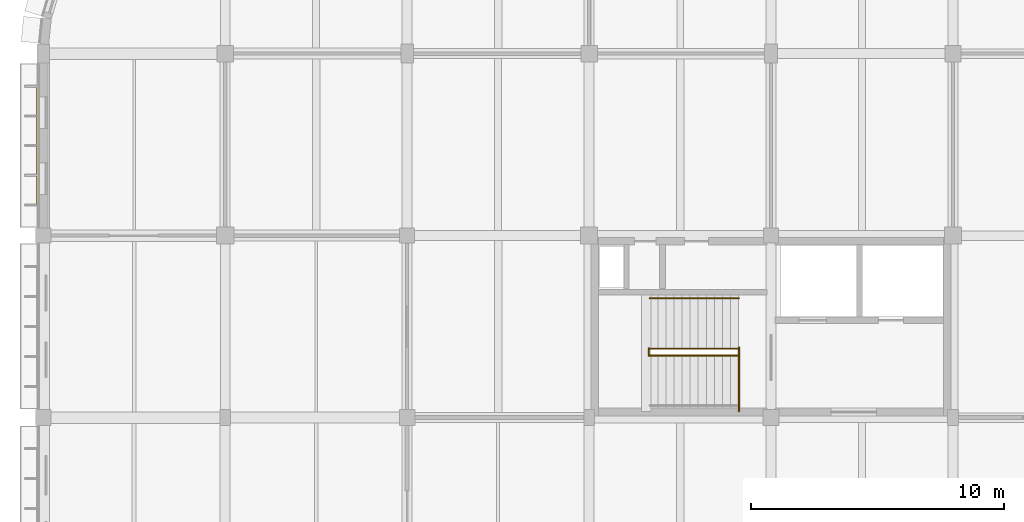
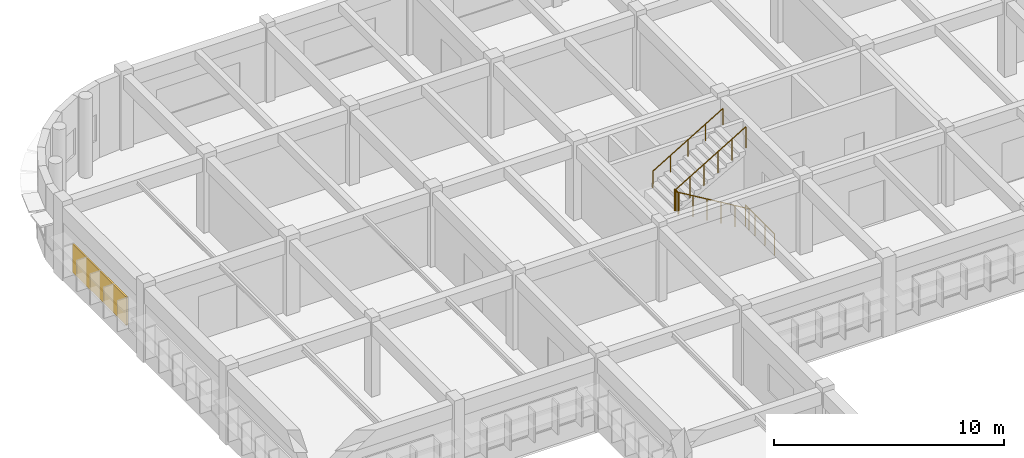
# One storey, part 100 of 103: 5 railings, 1 shading device.
"""IFC4 building model written with IfcOpenShell, lengths in metres."""

from ifc_helpers import new_model, si_unit, direction, frame, origin, origin_2d, place, context, subcontext, project, spatial, rectangle, circle, extrude, material, layer, layer_set, type_object, element, save


model = new_model("IFC4")

# Units and contexts
model_context = context("Model", 3, precision=1e-05, world=origin(), true_north=direction((0.0, 1.0)))
body_context = subcontext(model_context, "Body", "Model", "MODEL_VIEW")
ifc_project = project(units=[si_unit("LENGTHUNIT", "METRE"), si_unit("AREAUNIT", "SQUARE_METRE"), si_unit("VOLUMEUNIT", "CUBIC_METRE"), si_unit("PLANEANGLEUNIT", "RADIAN"), si_unit("MASSUNIT", "GRAM", prefix="KILO")], contexts=[model_context])

# Site, building, storey
site_placement = place(None, origin())
site = spatial("IfcSite", under=ifc_project, at=site_placement, CompositionType="ELEMENT")
building_placement = place(site_placement, origin())
building = spatial("IfcBuilding", under=site, at=building_placement, Name="Thalmaran Polytechnic", CompositionType="ELEMENT")
storey_placement = place(building_placement, frame((0.0, 0.0, 14.39990234375)))
storey = spatial("IfcBuildingStorey", under=building, at=storey_placement, Name="L03", CompositionType="ELEMENT", Elevation=14.39990234375)

# Railings
ifc_material_1 = material(Name="Stainless steel 316", Category="steel")
railing_type_1 = type_object("IfcRailingType", Name="RL-GR01", PredefinedType="GUARDRAIL", material=ifc_material_1)
railing_1_placement = place(storey_placement, frame((27.530029296875, 101.050048828125, 0.0)))
element("IfcRailing", 1, at=railing_1_placement, inside=storey, type_object=railing_type_1, Name="ST2 L03 Landing Edge Guardrail", PredefinedType="GUARDRAIL", context=body_context, shape_type="SweptSolid", body=[
    extrude(circle(Radius=0.02392578125, at=origin_2d()), frame((0.0, 0.0, 1.1259765625), z_axis=(0.0, 1.0, 0.0), x_axis=(-1.0, 0.0, 0.0)), (0.0, 0.0, 1.0), 2.530029296875),
    extrude(circle(Radius=0.02099609375, at=origin_2d()), origin(), (0.0, 0.0, 1.0), 1.101806640625),
    extrude(circle(Radius=0.02099609375, at=origin_2d()), frame((0.0, 0.84326171875, 0.0)), (0.0, 0.0, 1.0), 1.101806640625),
    extrude(circle(Radius=0.02099609375, at=origin_2d()), frame((0.0, 1.686767578125, 0.0)), (0.0, 0.0, 1.0), 1.101806640625),
    extrude(circle(Radius=0.02099609375, at=origin_2d()), frame((0.0, 2.530029296875, 0.0)), (0.0, 0.0, 1.0), 1.101806640625),
])
railing_2_placement = place(storey_placement, frame((27.52001953125, 103.260009765625, 0.0)))
element("IfcRailing", 2, at=railing_2_placement, inside=storey, type_object=railing_type_1, Name="ST2 L03 Lower Flight Guardrail", PredefinedType="GUARDRAIL", context=body_context, shape_type="SweptSolid", body=[
    extrude(circle(Radius=0.02392578125, at=origin_2d()), frame((0.0, 0.0, 1.1259765625), z_axis=(-0.85877260855, 0.0, 0.512356913493), x_axis=(0.0, -1.0, 0.0)), (0.0, 0.0, 1.0), 4.098876953125),
    extrude(circle(Radius=0.02099609375, at=origin_2d()), origin(), (0.0, 0.0, 1.0), 1.101806640625),
    extrude(circle(Radius=0.02099609375, at=origin_2d()), frame((-0.7041015625, 0.0, 0.419921875)), (0.0, 0.0, 1.0), 1.101806640625),
    extrude(circle(Radius=0.02099609375, at=origin_2d()), frame((-1.407958984375, 0.0, 0.840087890625)), (0.0, 0.0, 1.0), 1.101806640625),
    extrude(circle(Radius=0.02099609375, at=origin_2d()), frame((-2.112060546875, 0.0, 1.260009765625)), (0.0, 0.0, 1.0), 1.101806640625),
    extrude(circle(Radius=0.02099609375, at=origin_2d()), frame((-2.81591796875, 0.0, 1.68017578125)), (0.0, 0.0, 1.0), 1.101806640625),
    extrude(circle(Radius=0.02099609375, at=origin_2d()), frame((-3.52001953125, 0.0, 2.10009765625)), (0.0, 0.0, 1.0), 1.101806640625),
])
railing_3_placement = place(storey_placement, frame((23.9599609375, 103.239990234375, 2.10009765625)))
element("IfcRailing", 3, at=railing_3_placement, inside=storey, type_object=railing_type_1, Name="ST2 L03 Half-Landing Well Guardrail", PredefinedType="GUARDRAIL", context=body_context, shape_type="SweptSolid", body=[
    extrude(circle(Radius=0.02392578125, at=origin_2d()), frame((0.0, 0.0, 1.1259765625), z_axis=(0.0, 1.0, 0.0), x_axis=(-1.0, 0.0, 0.0)), (0.0, 0.0, 1.0), 0.300048828125),
    extrude(circle(Radius=0.02099609375, at=origin_2d()), origin(), (0.0, 0.0, 1.0), 1.101806640625),
    extrude(circle(Radius=0.02099609375, at=origin_2d()), frame((0.0, 0.300048828125, 0.0)), (0.0, 0.0, 1.0), 1.101806640625),
])
railing_4_placement = place(storey_placement, frame((24.0, 103.52001953125, 2.10009765625)))
element("IfcRailing", 4, at=railing_4_placement, inside=storey, type_object=railing_type_1, Name="ST2 L03 Upper Flight Guardrail", PredefinedType="GUARDRAIL", context=body_context, shape_type="SweptSolid", body=[
    extrude(circle(Radius=0.02392578125, at=origin_2d()), frame((0.0, 0.0, 1.1259765625), z_axis=(0.85877260855, 0.0, 0.512356913493), x_axis=(0.0, 1.0, 0.0)), (0.0, 0.0, 1.0), 4.098876953125),
    extrude(circle(Radius=0.02099609375, at=origin_2d()), origin(), (0.0, 0.0, 1.0), 1.101806640625),
    extrude(circle(Radius=0.02099609375, at=origin_2d()), frame((0.7041015625, 0.0, 0.419921875)), (0.0, 0.0, 1.0), 1.101806640625),
    extrude(circle(Radius=0.02099609375, at=origin_2d()), frame((1.407958984375, 0.0, 0.840087890625)), (0.0, 0.0, 1.0), 1.101806640625),
    extrude(circle(Radius=0.02099609375, at=origin_2d()), frame((2.112060546875, 0.0, 1.260009765625)), (0.0, 0.0, 1.0), 1.101806640625),
    extrude(circle(Radius=0.02099609375, at=origin_2d()), frame((2.81591796875, 0.0, 1.68017578125)), (0.0, 0.0, 1.0), 1.101806640625),
    extrude(circle(Radius=0.02099609375, at=origin_2d()), frame((3.52001953125, 0.0, 2.10009765625)), (0.0, 0.0, 1.0), 1.101806640625),
])
railing_type_2 = type_object("IfcRailingType", Name="RL-HR01", PredefinedType="HANDRAIL", material=ifc_material_1)
railing_5_placement = place(storey_placement, frame((24.0, 105.52001953125, 2.10009765625)))
element("IfcRailing", 5, at=railing_5_placement, inside=storey, type_object=railing_type_2, Name="ST2 L03 Flight 2 Handrail", PredefinedType="HANDRAIL", context=body_context, shape_type="SweptSolid", body=[
    extrude(circle(Radius=0.02392578125, at=origin_2d()), frame((0.0, 0.0, 0.8759765625), z_axis=(0.85877260855, 0.0, 0.512356913493), x_axis=(0.0, 1.0, 0.0)), (0.0, 0.0, 1.0), 4.098876953125),
    extrude(circle(Radius=0.02099609375, at=origin_2d()), origin(), (0.0, 0.0, 1.0), 0.851806640625),
    extrude(circle(Radius=0.02099609375, at=origin_2d()), frame((0.8798828125, 0.0, 0.52490234375)), (0.0, 0.0, 1.0), 0.851806640625),
    extrude(circle(Radius=0.02099609375, at=origin_2d()), frame((1.760009765625, 0.0, 1.050048828125)), (0.0, 0.0, 1.0), 0.851806640625),
    extrude(circle(Radius=0.02099609375, at=origin_2d()), frame((2.64013671875, 0.0, 1.5751953125)), (0.0, 0.0, 1.0), 0.851806640625),
    extrude(circle(Radius=0.02099609375, at=origin_2d()), frame((3.52001953125, 0.0, 2.10009765625)), (0.0, 0.0, 1.0), 0.851806640625),
])

# Shading device
ifc_material_2 = material(Name="Perforated anodised-bronze aluminium screen", Category="aluminium")
ifc_layer = layer(ifc_material_2, 0.080078125, Name="Perforated anodised-bronze aluminium screen")
ifc_layer_set = layer_set([ifc_layer], Name="Perforated anodised-bronze aluminium screen")
shading_device_type = type_object("IfcShadingDeviceType", Name="SH-JL01", PredefinedType="JALOUSIE", material=ifc_layer_set)
shading_device_placement = place(storey_placement, frame((-0.219970703125, 111.60009765625, 1.025146484375), z_axis=(0.0, 0.0, 1.0), x_axis=(0.0, 1.0, 0.0)))
element("IfcShadingDevice", 6, at=shading_device_placement, inside=storey, type_object=shading_device_type, Name="Anodised-Bronze Mashrabiya Solar Screen L03-048", PredefinedType="JALOUSIE", context=body_context, shape_type="SweptSolid", body=[
    extrude(rectangle(XDim=4.697998046875, YDim=0.080078125, at=origin_2d()), origin(), (0.0, 0.0, 1.0), 1.5),
])

save(model, "model.ifc")
